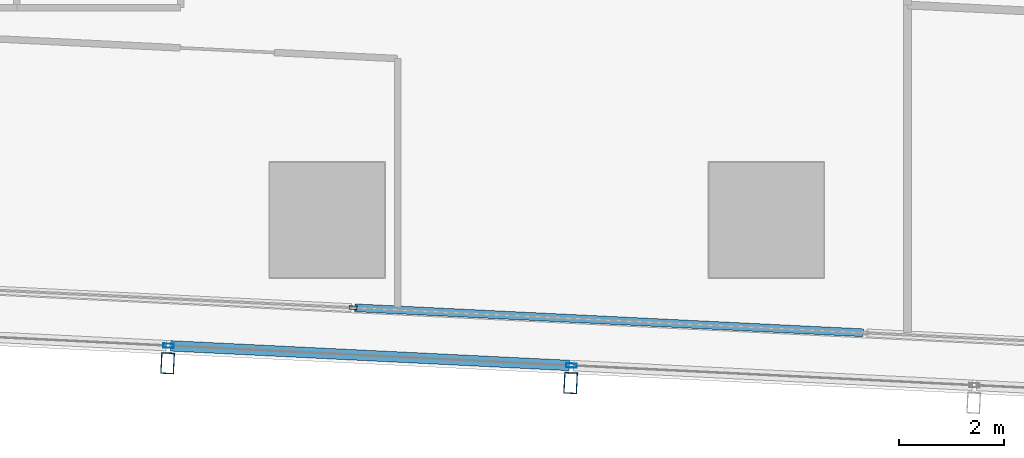
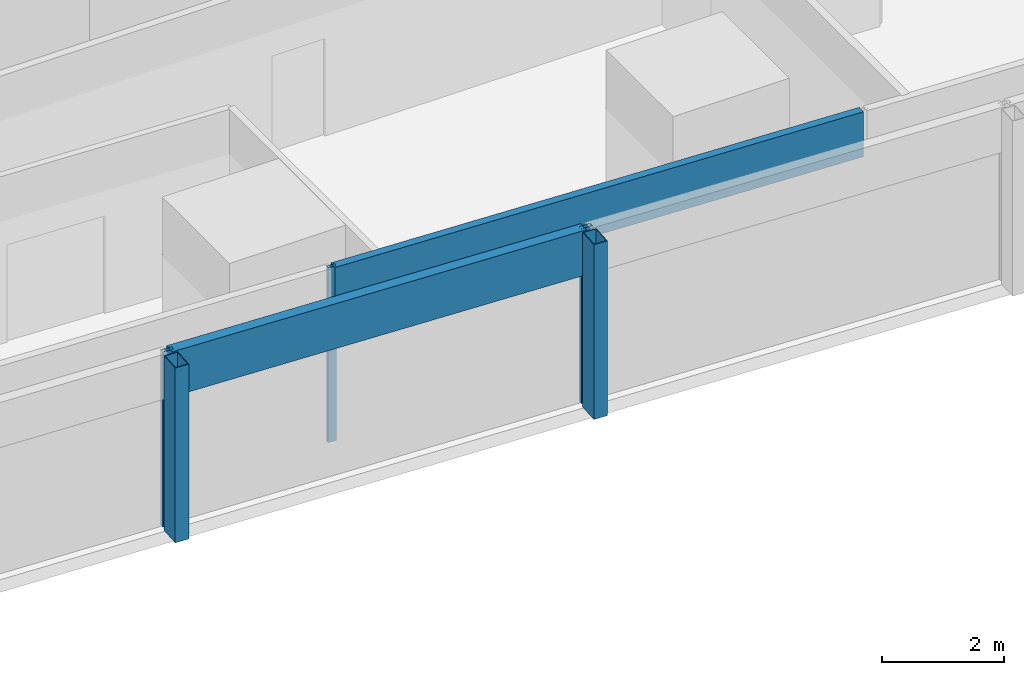
# One storey, part 5 of 44: 7 members, 2 elements without a shape of their own.
"""IFC4 building model written with IfcOpenShell, lengths in metres."""

from ifc_helpers import new_model, si_unit, direction, frame, origin, origin_2d, place, context, subcontext, project, spatial, hollow_rectangle, extrude, material, material_profile, profile_set, type_object, element, aggregate, save


model = new_model("IFC4")

# Units and contexts
model_context = context("Model", 3, precision=1e-05, world=origin(), true_north=direction((0.0, 1.0)))
body_context = subcontext(model_context, "Body", "Model", "MODEL_VIEW")
ifc_project = project(units=[si_unit("LENGTHUNIT", "METRE"), si_unit("AREAUNIT", "SQUARE_METRE"), si_unit("VOLUMEUNIT", "CUBIC_METRE"), si_unit("PLANEANGLEUNIT", "RADIAN"), si_unit("MASSUNIT", "GRAM", prefix="KILO")], contexts=[model_context])

# Site, building, storey
site_placement = place(None, origin())
site = spatial("IfcSite", under=ifc_project, at=site_placement, CompositionType="ELEMENT")
building_placement = place(site_placement, origin())
building = spatial("IfcBuilding", under=site, at=building_placement, Name="Rekha Terrace Tower", CompositionType="ELEMENT")
storey_placement = place(building_placement, frame((0.0, 0.0, 51.64990234375)))
storey = spatial("IfcBuildingStorey", under=building, at=storey_placement, Name="L12", CompositionType="ELEMENT", Elevation=51.64990234375)

# Curtain wall, members
ifc_material_1 = material(Name="Aluminium framing", Category="aluminium")
curtain_wall_type_1 = type_object("IfcCurtainWallType", Name="CW2 double skin outer glazing", PredefinedType="USERDEFINED", material=ifc_material_1)
curtain_wall_1_placement = place(storey_placement, origin())
curtain_wall_1 = element("IfcCurtainWall", 1, at=curtain_wall_1_placement, inside=storey, type_object=curtain_wall_type_1, Name="CW2 double skin outer glazing", ObjectType="DOUBLE SKIN OUTER GLAZING", PredefinedType="USERDEFINED")
ifc_material_2 = material(Name="Steel S355 with fluorocarbon finish", Category="steel")
ifc_material_profile_1 = material_profile(ifc_material_2, hollow_rectangle(XDim=0.25, YDim=0.39990234375, WallThickness=0.012451171875, at=origin_2d()), Name="RHS400x250x12.5")
ifc_profile_set_1 = profile_set([ifc_material_profile_1], Name="Steel S355 with fluorocarbon finish")
member_type_1 = type_object("IfcMemberType", Name="BL1 facade blade RHS 400 x 250", PredefinedType="USERDEFINED", material=ifc_profile_set_1)
member_1_placement = place(storey_placement, frame((22.14990234375, 5.6611328125, 0.0), z_axis=(0.0, 0.0, 1.0), x_axis=(0.998796226835, -0.049051985279, 0.0)))
member_1 = element("IfcMember", 2, at=member_1_placement, type_object=member_type_1, Name="Facade blade", ObjectType="FACADE BLADE", PredefinedType="USERDEFINED", context=body_context, shape_type="SweptSolid", body=[
    extrude(hollow_rectangle(XDim=0.25, YDim=0.39990234375, WallThickness=0.012451171875, at=origin_2d()), origin(), (0.0, 0.0, 1.0), 3.5),
])
member_2_placement = place(storey_placement, frame((29.856201171875, 5.28271484375, 0.0), z_axis=(0.0, 0.0, 1.0), x_axis=(0.998796226835, -0.049051985279, 0.0)))
member_2 = element("IfcMember", 3, at=member_2_placement, type_object=member_type_1, Name="Facade blade", ObjectType="FACADE BLADE", PredefinedType="USERDEFINED", context=body_context, shape_type="SweptSolid", body=[
    extrude(hollow_rectangle(XDim=0.25, YDim=0.39990234375, WallThickness=0.012451171875, at=origin_2d()), origin(), (0.0, 0.0, 1.0), 3.5),
])

curtain_wall_type_2 = type_object("IfcCurtainWallType", Name="CW1 double skin inner glazing", PredefinedType="USERDEFINED", material=ifc_material_1)
curtain_wall_2_placement = place(storey_placement, origin())
curtain_wall_2 = element("IfcCurtainWall", 4, at=curtain_wall_2_placement, inside=storey, type_object=curtain_wall_type_2, Name="CW1 double skin inner glazing", ObjectType="DOUBLE SKIN INNER GLAZING", PredefinedType="USERDEFINED")
ifc_material_3 = material(Name="Aluminium mullion section", Category="aluminium")
ifc_material_profile_2 = material_profile(ifc_material_3, hollow_rectangle(XDim=0.06494140625, YDim=0.14990234375, WallThickness=0.00390625, at=origin_2d()), Name="AL RHS 65x150")
ifc_profile_set_2 = profile_set([ifc_material_profile_2], Name="Aluminium mullion section")
member_type_2 = type_object("IfcMemberType", Name="CW1 mullion RHS 65 x 150", PredefinedType="MULLION", material=ifc_profile_set_2)
member_3_placement = place(storey_placement, frame((25.696044921875, 6.723388671875, 0.0), z_axis=(0.0, 0.0, 1.0), x_axis=(0.049051717746, 0.998796239974, 0.0)))
member_3 = element("IfcMember", 5, at=member_3_placement, type_object=member_type_2, Name="CW1 mullion 2", PredefinedType="MULLION", context=body_context, shape_type="SweptSolid", body=[
    extrude(hollow_rectangle(XDim=0.06494140625, YDim=0.14990234375, WallThickness=0.00390625, at=origin_2d()), origin(), (0.0, 0.0, 1.0), 3.5),
])
ifc_material_4 = material(Name="Insulated aluminium spandrel box", Category="aluminium")
ifc_material_profile_3 = material_profile(ifc_material_4, hollow_rectangle(XDim=0.14990234375, YDim=0.89990234375, WallThickness=0.0029296875, at=origin_2d()), Name="AL SPANDREL BOX 150x900")
ifc_profile_set_3 = profile_set([ifc_material_profile_3], Name="Insulated aluminium spandrel box")
member_type_3 = type_object("IfcMemberType", Name="CW1 spandrel transom 150 x 900", PredefinedType="USERDEFINED", material=ifc_profile_set_3)
member_4_placement = place(storey_placement, frame((25.728515625, 6.721923828125, 3.050048828125), z_axis=(0.998796042167, -0.049055745348, 0.0), x_axis=(0.049055745348, 0.998796042167, 0.0)))
member_4 = element("IfcMember", 6, at=member_4_placement, type_object=member_type_3, Name="CW1 spandrel transom 2", ObjectType="TRANSOM", PredefinedType="USERDEFINED", context=body_context, shape_type="SweptSolid", body=[
    extrude(hollow_rectangle(XDim=0.14990234375, YDim=0.89990234375, WallThickness=0.0029296875, at=origin_2d()), origin(), (0.0, 0.0, 1.0), 9.734619140625),
])
aggregate(curtain_wall_2, [member_3, member_4])

# Member
ifc_material_profile_4 = material_profile(ifc_material_3, hollow_rectangle(XDim=0.080078125, YDim=0.199951171875, WallThickness=0.00390625, at=origin_2d()), Name="AL RHS 80x200")
ifc_profile_set_4 = profile_set([ifc_material_profile_4], Name="Aluminium mullion section")
member_type_4 = type_object("IfcMemberType", Name="CW2 mullion RHS 80 x 200", PredefinedType="MULLION", material=ifc_profile_set_4)
member_5_placement = place(storey_placement, frame((22.166259765625, 5.99560546875, 0.0), z_axis=(0.0, 0.0, 1.0), x_axis=(0.049051717746, 0.998796239974, 0.0)))
member_5 = element("IfcMember", 7, at=member_5_placement, type_object=member_type_4, Name="CW2 mullion 3", PredefinedType="MULLION", context=body_context, shape_type="SweptSolid", body=[
    extrude(hollow_rectangle(XDim=0.080078125, YDim=0.199951171875, WallThickness=0.00390625, at=origin_2d()), origin(), (0.0, 0.0, 1.0), 3.5),
])

member_6_placement = place(storey_placement, frame((29.872802734375, 5.6171875, 0.0), z_axis=(0.0, 0.0, 1.0), x_axis=(0.049051717746, 0.998796239974, 0.0)))
member_6 = element("IfcMember", 8, at=member_6_placement, type_object=member_type_4, Name="CW2 mullion 4", PredefinedType="MULLION", context=body_context, shape_type="SweptSolid", body=[
    extrude(hollow_rectangle(XDim=0.080078125, YDim=0.199951171875, WallThickness=0.00390625, at=origin_2d()), origin(), (0.0, 0.0, 1.0), 3.5),
])

ifc_material_profile_5 = material_profile(ifc_material_4, hollow_rectangle(XDim=0.199951171875, YDim=0.89990234375, WallThickness=0.0029296875, at=origin_2d()), Name="AL SPANDREL BOX 200x900")
ifc_profile_set_5 = profile_set([ifc_material_profile_5], Name="Insulated aluminium spandrel box")
member_type_5 = type_object("IfcMemberType", Name="CW2 spandrel transom 200 x 900", PredefinedType="USERDEFINED", material=ifc_profile_set_5)
member_7_placement = place(storey_placement, frame((22.206298828125, 5.99365234375, 3.050048828125), z_axis=(0.998796434643, -0.049047753721, 0.0), x_axis=(0.049047753721, 0.998796434643, 0.0)))
member_7 = element("IfcMember", 9, at=member_7_placement, type_object=member_type_5, Name="CW2 spandrel transom 3", ObjectType="TRANSOM", PredefinedType="USERDEFINED", context=body_context, shape_type="SweptSolid", body=[
    extrude(hollow_rectangle(XDim=0.199951171875, YDim=0.89990234375, WallThickness=0.0029296875, at=origin_2d()), origin(), (0.0, 0.0, 1.0), 7.6357421875),
])

aggregate(curtain_wall_1, [member_5, member_6, member_7, member_1, member_2])

save(model, "model.ifc")
